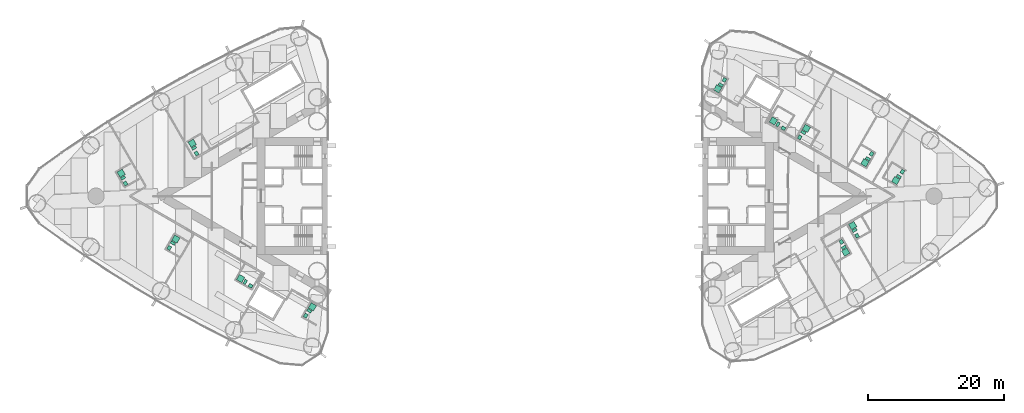
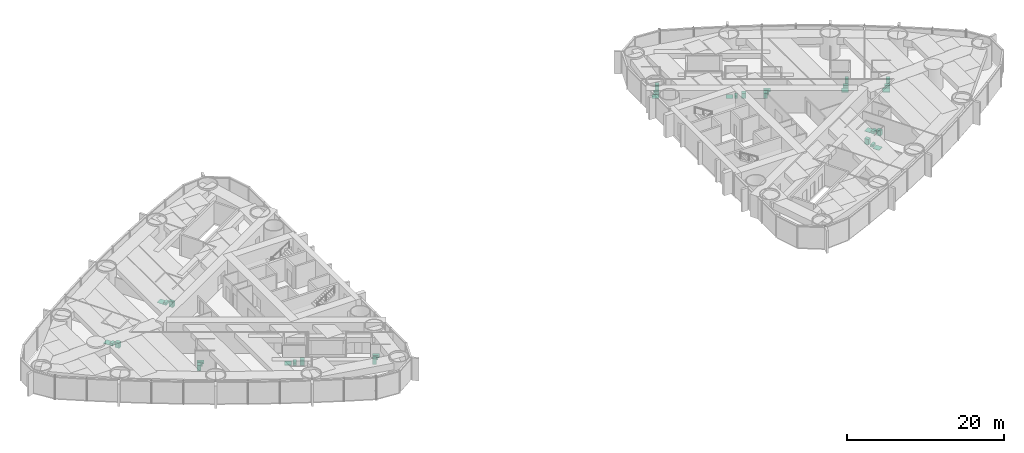
# One storey, part 19 of 19: 16 sanitary terminals.
"""IFC4 building model written with IfcOpenShell, lengths in metres."""

from ifc_helpers import new_model, si_unit, direction, frame, origin, origin_2d, place, context, subcontext, project, spatial, rectangle, extrude, material, type_object, element, save


model = new_model("IFC4")

# Units and contexts
model_context = context("Model", 3, precision=1e-05, world=origin(), true_north=direction((0.0, 1.0)))
body_context = subcontext(model_context, "Body", "Model", "MODEL_VIEW")
ifc_project = project(units=[si_unit("LENGTHUNIT", "METRE"), si_unit("AREAUNIT", "SQUARE_METRE"), si_unit("VOLUMEUNIT", "CUBIC_METRE"), si_unit("PLANEANGLEUNIT", "RADIAN"), si_unit("MASSUNIT", "GRAM", prefix="KILO")], contexts=[model_context])

# Site, building, storey
site_placement = place(None, origin())
site = spatial("IfcSite", under=ifc_project, at=site_placement, CompositionType="ELEMENT")
building_placement = place(site_placement, origin())
building = spatial("IfcBuilding", under=site, at=building_placement, Name="Lancet Gate Hotel", CompositionType="ELEMENT")
storey_placement = place(building_placement, frame((0.0, 0.0, 122.10009765625)))
storey = spatial("IfcBuildingStorey", under=building, at=storey_placement, Name="L32", CompositionType="ELEMENT", Elevation=122.10009765625)

# Sanitary terminals
ifc_material_1 = material(Name="Vitreous china sanitary ware")
sanitary_terminal_type_1 = type_object("IfcSanitaryTerminalType", Name="En-suite sanitary set (shower, WC, basin)", PredefinedType="USERDEFINED", material=ifc_material_1)
sanitary_terminal_1_placement = place(storey_placement, frame((-57.81689453125, 3.355224609375, 0.0), z_axis=(0.0, 0.0, 1.0), x_axis=(1.0, 0.0, 0.0)))
element("IfcSanitaryTerminal", 1, at=sanitary_terminal_1_placement, inside=storey, type_object=sanitary_terminal_type_1, Name="En-suite sanitary set (shower, WC, basin) 3204", ObjectType="EN-SUITE SANITARY SET", PredefinedType="USERDEFINED", context=body_context, shape_type="SweptSolid", body=[
    extrude(rectangle(XDim=0.89990234375, YDim=0.89990234375, at=origin_2d()), frame((0.0, 0.0, 0.0), z_axis=(0.0, 0.0, 1.0), x_axis=(-0.5, 0.866025403784, 0.0)), (0.0, 0.0, 1.0), 0.050048828125),
    extrude(rectangle(XDim=0.39990234375, YDim=0.699951171875, at=origin_2d()), frame((0.2783203125, -0.68212890625, 0.0), z_axis=(0.0, 0.0, 1.0), x_axis=(-0.5, 0.866025403784, 0.0)), (0.0, 0.0, 1.0), 0.39990234375),
    extrude(rectangle(XDim=0.60009765625, YDim=0.5, at=origin_2d()), frame((0.6318359375, -1.494384765625, 0.0), z_axis=(0.0, 0.0, 1.0), x_axis=(-0.5, 0.866025403784, 0.0)), (0.0, 0.0, 1.0), 0.85009765625),
])
sanitary_terminal_2_placement = place(storey_placement, frame((-49.785888671875, -6.305908203125, 0.0), z_axis=(0.0, 0.0, 1.0), x_axis=(1.0, 0.0, 0.0)))
element("IfcSanitaryTerminal", 2, at=sanitary_terminal_2_placement, inside=storey, type_object=sanitary_terminal_type_1, Name="En-suite sanitary set (shower, WC, basin) 3205", ObjectType="EN-SUITE SANITARY SET", PredefinedType="USERDEFINED", context=body_context, shape_type="SweptSolid", body=[
    extrude(rectangle(XDim=0.89990234375, YDim=0.89990234375, at=origin_2d()), frame((0.0, 0.0, 0.0), z_axis=(0.0, 0.0, 1.0), x_axis=(0.5, 0.866025403784, 0.0)), (0.0, 0.0, 1.0), 0.050048828125),
    extrude(rectangle(XDim=0.39990234375, YDim=0.699951171875, at=origin_2d()), frame((-0.45166015625, -0.582275390625, 0.0), z_axis=(0.0, 0.0, 1.0), x_axis=(0.5, 0.866025403784, 0.0)), (0.0, 0.0, 1.0), 0.39990234375),
    extrude(rectangle(XDim=0.60009765625, YDim=0.5, at=origin_2d()), frame((-0.978271484375, -1.29443359375, 0.0), z_axis=(0.0, 0.0, 1.0), x_axis=(0.5, 0.866025403784, 0.0)), (0.0, 0.0, 1.0), 0.85009765625),
])
sanitary_terminal_3_placement = place(storey_placement, frame((-47.39111328125, 7.758056640625, 0.0), z_axis=(0.0, 0.0, 1.0), x_axis=(1.0, 0.0, 0.0)))
element("IfcSanitaryTerminal", 3, at=sanitary_terminal_3_placement, inside=storey, type_object=sanitary_terminal_type_1, Name="En-suite sanitary set (shower, WC, basin) 3202", ObjectType="EN-SUITE SANITARY SET", PredefinedType="USERDEFINED", context=body_context, shape_type="SweptSolid", body=[
    extrude(rectangle(XDim=0.89990234375, YDim=0.89990234375, at=origin_2d()), frame((0.0, 0.0, 0.0), z_axis=(0.0, 0.0, 1.0), x_axis=(-0.5, 0.866025403784, 0.0)), (0.0, 0.0, 1.0), 0.050048828125),
    extrude(rectangle(XDim=0.39990234375, YDim=0.699951171875, at=origin_2d()), frame((0.2783203125, -0.682373046875, 0.0), z_axis=(0.0, 0.0, 1.0), x_axis=(-0.5, 0.866025403784, 0.0)), (0.0, 0.0, 1.0), 0.39990234375),
    extrude(rectangle(XDim=0.60009765625, YDim=0.5, at=origin_2d()), frame((0.6318359375, -1.494384765625, 0.0), z_axis=(0.0, 0.0, 1.0), x_axis=(-0.5, 0.866025403784, 0.0)), (0.0, 0.0, 1.0), 0.85009765625),
])
sanitary_terminal_4_placement = place(storey_placement, frame((-29.751708984375, -16.256103515625, 0.0), z_axis=(0.0, 0.0, 1.0), x_axis=(1.0, 0.0, 0.0)))
element("IfcSanitaryTerminal", 4, at=sanitary_terminal_4_placement, inside=storey, type_object=sanitary_terminal_type_1, Name="En-suite sanitary set (shower, WC, basin) 3208", ObjectType="EN-SUITE SANITARY SET", PredefinedType="USERDEFINED", context=body_context, shape_type="SweptSolid", body=[
    extrude(rectangle(XDim=0.89990234375, YDim=0.89990234375, at=origin_2d()), frame((0.0, 0.0, 0.0), z_axis=(0.0, 0.0, 1.0), x_axis=(0.5, 0.866025403784, 0.0)), (0.0, 0.0, 1.0), 0.050048828125),
    extrude(rectangle(XDim=0.39990234375, YDim=0.699951171875, at=origin_2d()), frame((-0.45166015625, -0.582275390625, 0.0), z_axis=(0.0, 0.0, 1.0), x_axis=(0.5, 0.866025403784, 0.0)), (0.0, 0.0, 1.0), 0.39990234375),
    extrude(rectangle(XDim=0.60009765625, YDim=0.5, at=origin_2d()), frame((-0.978271484375, -1.29443359375, 0.0), z_axis=(0.0, 0.0, 1.0), x_axis=(0.5, 0.866025403784, 0.0)), (0.0, 0.0, 1.0), 0.85009765625),
])
sanitary_terminal_5_placement = place(storey_placement, frame((48.534912109375, -8.214111328125, 0.0), z_axis=(0.0, 0.0, 1.0), x_axis=(1.0, 0.0, 0.0)))
element("IfcSanitaryTerminal", 5, at=sanitary_terminal_5_placement, inside=storey, type_object=sanitary_terminal_type_1, Name="En-suite sanitary set (shower, WC, basin) 3255", ObjectType="EN-SUITE SANITARY SET", PredefinedType="USERDEFINED", context=body_context, shape_type="SweptSolid", body=[
    extrude(rectangle(XDim=0.89990234375, YDim=0.89990234375, at=origin_2d()), frame((0.0, 0.0, 0.0), z_axis=(0.0, 0.0, 1.0), x_axis=(0.5, -0.866025403784, 0.0)), (0.0, 0.0, 1.0), 0.050048828125),
    extrude(rectangle(XDim=0.39990234375, YDim=0.699951171875, at=origin_2d()), frame((-0.2783203125, 0.68212890625, 0.0), z_axis=(0.0, 0.0, 1.0), x_axis=(0.5, -0.866025403784, 0.0)), (0.0, 0.0, 1.0), 0.39990234375),
    extrude(rectangle(XDim=0.60009765625, YDim=0.5, at=origin_2d()), frame((-0.6318359375, 1.494384765625, 0.0), z_axis=(0.0, 0.0, 1.0), x_axis=(0.5, -0.866025403784, 0.0)), (0.0, 0.0, 1.0), 0.85009765625),
])
sanitary_terminal_6_placement = place(storey_placement, frame((49.56201171875, -4.318603515625, 0.0), z_axis=(0.0, 0.0, 1.0), x_axis=(1.0, 0.0, 0.0)))
element("IfcSanitaryTerminal", 6, at=sanitary_terminal_6_placement, inside=storey, type_object=sanitary_terminal_type_1, Name="En-suite sanitary set (shower, WC, basin) 3256", ObjectType="EN-SUITE SANITARY SET", PredefinedType="USERDEFINED", context=body_context, shape_type="SweptSolid", body=[
    extrude(rectangle(XDim=0.89990234375, YDim=0.89990234375, at=origin_2d()), frame((0.0, 0.0, 0.0), z_axis=(0.0, 0.0, 1.0), x_axis=(-0.5, 0.866025403784, 0.0)), (0.0, 0.0, 1.0), 0.050048828125),
    extrude(rectangle(XDim=0.39990234375, YDim=0.699951171875, at=origin_2d()), frame((0.278564453125, -0.682373046875, 0.0), z_axis=(0.0, 0.0, 1.0), x_axis=(-0.5, 0.866025403784, 0.0)), (0.0, 0.0, 1.0), 0.39990234375),
    extrude(rectangle(XDim=0.60009765625, YDim=0.5, at=origin_2d()), frame((0.6318359375, -1.494384765625, 0.0), z_axis=(0.0, 0.0, 1.0), x_axis=(-0.5, 0.866025403784, 0.0)), (0.0, 0.0, 1.0), 0.85009765625),
])
sanitary_terminal_7_placement = place(storey_placement, frame((55.8798828125, 2.28759765625, 0.0), z_axis=(0.0, 0.0, 1.0), x_axis=(1.0, 0.0, 0.0)))
element("IfcSanitaryTerminal", 7, at=sanitary_terminal_7_placement, inside=storey, type_object=sanitary_terminal_type_1, Name="En-suite sanitary set (shower, WC, basin) 3258", ObjectType="EN-SUITE SANITARY SET", PredefinedType="USERDEFINED", context=body_context, shape_type="SweptSolid", body=[
    extrude(rectangle(XDim=0.89990234375, YDim=0.89990234375, at=origin_2d()), frame((0.0, 0.0, 0.0), z_axis=(0.0, 0.0, 1.0), x_axis=(-0.5, -0.866025403784, 0.0)), (0.0, 0.0, 1.0), 0.050048828125),
    extrude(rectangle(XDim=0.39990234375, YDim=0.699951171875, at=origin_2d()), frame((0.45166015625, 0.582275390625, 0.0), z_axis=(0.0, 0.0, 1.0), x_axis=(-0.5, -0.866025403784, 0.0)), (0.0, 0.0, 1.0), 0.39990234375),
    extrude(rectangle(XDim=0.60009765625, YDim=0.5, at=origin_2d()), frame((0.978271484375, 1.29443359375, 0.0), z_axis=(0.0, 0.0, 1.0), x_axis=(-0.5, -0.866025403784, 0.0)), (0.0, 0.0, 1.0), 0.85009765625),
])
sanitary_terminal_8_placement = place(storey_placement, frame((51.353271484375, 4.901123046875, 0.0), z_axis=(0.0, 0.0, 1.0), x_axis=(1.0, 0.0, 0.0)))
element("IfcSanitaryTerminal", 8, at=sanitary_terminal_8_placement, inside=storey, type_object=sanitary_terminal_type_1, Name="En-suite sanitary set (shower, WC, basin) 3259", ObjectType="EN-SUITE SANITARY SET", PredefinedType="USERDEFINED", context=body_context, shape_type="SweptSolid", body=[
    extrude(rectangle(XDim=0.89990234375, YDim=0.89990234375, at=origin_2d()), frame((0.0, 0.0, 0.0), z_axis=(0.0, 0.0, 1.0), x_axis=(-0.5, -0.866025403784, 0.0)), (0.0, 0.0, 1.0), 0.050048828125),
    extrude(rectangle(XDim=0.39990234375, YDim=0.699951171875, at=origin_2d()), frame((0.45166015625, 0.582275390625, 0.0), z_axis=(0.0, 0.0, 1.0), x_axis=(-0.5, -0.866025403784, 0.0)), (0.0, 0.0, 1.0), 0.39990234375),
    extrude(rectangle(XDim=0.60009765625, YDim=0.5, at=origin_2d()), frame((0.978271484375, 1.294189453125, 0.0), z_axis=(0.0, 0.0, 1.0), x_axis=(-0.5, -0.866025403784, 0.0)), (0.0, 0.0, 1.0), 0.85009765625),
])
sanitary_terminal_9_placement = place(storey_placement, frame((42.763427734375, 9.9296875, 0.0), z_axis=(0.0, 0.0, 1.0), x_axis=(1.0, 0.0, 0.0)))
element("IfcSanitaryTerminal", 9, at=sanitary_terminal_9_placement, inside=storey, type_object=sanitary_terminal_type_1, Name="En-suite sanitary set (shower, WC, basin) 3260", ObjectType="EN-SUITE SANITARY SET", PredefinedType="USERDEFINED", context=body_context, shape_type="SweptSolid", body=[
    extrude(rectangle(XDim=0.89990234375, YDim=0.89990234375, at=origin_2d()), frame((0.0, 0.0, 0.0), z_axis=(0.0, 0.0, 1.0), x_axis=(0.5, 0.866025403784, 0.0)), (0.0, 0.0, 1.0), 0.050048828125),
    extrude(rectangle(XDim=0.39990234375, YDim=0.699951171875, at=origin_2d()), frame((-0.45166015625, -0.582275390625, 0.0), z_axis=(0.0, 0.0, 1.0), x_axis=(0.5, 0.866025403784, 0.0)), (0.0, 0.0, 1.0), 0.39990234375),
    extrude(rectangle(XDim=0.60009765625, YDim=0.5, at=origin_2d()), frame((-0.978271484375, -1.294189453125, 0.0), z_axis=(0.0, 0.0, 1.0), x_axis=(0.5, 0.866025403784, 0.0)), (0.0, 0.0, 1.0), 0.85009765625),
])
sanitary_terminal_10_placement = place(storey_placement, frame((29.751708984375, 15.756103515625, 0.0), z_axis=(0.0, 0.0, 1.0), x_axis=(1.0, 0.0, 0.0)))
element("IfcSanitaryTerminal", 10, at=sanitary_terminal_10_placement, inside=storey, type_object=sanitary_terminal_type_1, Name="En-suite sanitary set (shower, WC, basin) 3264", ObjectType="EN-SUITE SANITARY SET", PredefinedType="USERDEFINED", context=body_context, shape_type="SweptSolid", body=[
    extrude(rectangle(XDim=0.89990234375, YDim=0.89990234375, at=origin_2d()), frame((0.0, 0.0, 0.0), z_axis=(0.0, 0.0, 1.0), x_axis=(-0.5, -0.866025403784, 0.0)), (0.0, 0.0, 1.0), 0.050048828125),
    extrude(rectangle(XDim=0.39990234375, YDim=0.699951171875, at=origin_2d()), frame((0.45166015625, 0.582275390625, 0.0), z_axis=(0.0, 0.0, 1.0), x_axis=(-0.5, -0.866025403784, 0.0)), (0.0, 0.0, 1.0), 0.39990234375),
    extrude(rectangle(XDim=0.60009765625, YDim=0.5, at=origin_2d()), frame((0.978271484375, 1.29443359375, 0.0), z_axis=(0.0, 0.0, 1.0), x_axis=(-0.5, -0.866025403784, 0.0)), (0.0, 0.0, 1.0), 0.85009765625),
])
ifc_material_2 = material(Name="Stone resin shower tray", Category="masonry")
sanitary_terminal_type_2 = type_object("IfcSanitaryTerminalType", Name="Shower tray 900", PredefinedType="SHOWER", material=ifc_material_2)
for number, where, z_axis, x_axis, name in (
    (11, (-40.2763671875, -12.0966796875, 0.0), (0.0, 0.0, 1.0), (-0.866025403784, 0.5, 0.0), "Shower tray 900 3207"),
    (12, (37.922607421875, 11.038818359375, 0.0), (0.0, 0.0, 1.0), (-0.866025403784, 0.5, 0.0), "Shower tray 900 3262"),
):
    element("IfcSanitaryTerminal", number, at=place(storey_placement, frame(where, z_axis=z_axis, x_axis=x_axis)), inside=storey, type_object=sanitary_terminal_type_2, Name=name, PredefinedType="SHOWER", context=body_context, shape_type="SweptSolid", body=[
        extrude(rectangle(XDim=0.89990234375, YDim=0.89990234375, at=origin_2d()), origin(), (0.0, 0.0, 1.0), 0.050048828125),
    ])
ifc_material_3 = material(Name="Vitreous china sanitary ware")
sanitary_terminal_type_3 = type_object("IfcSanitaryTerminalType", Name="Vanity basin 600", PredefinedType="WASHHANDBASIN", material=ifc_material_3)
for number, where, z_axis, x_axis, name in (
    (13, (-38.808837890625, -13.1748046875, -0.000244140625), (0.0, 0.0, 1.0), (-0.866025403784, 0.5, 0.0), "Vanity basin 600 3207"),
    (14, (39.389892578125, 9.960693359375, -0.000244140625), (0.0, 0.0, 1.0), (-0.866025403784, 0.5, 0.0), "Vanity basin 600 3262"),
):
    element("IfcSanitaryTerminal", number, at=place(storey_placement, frame(where, z_axis=z_axis, x_axis=x_axis)), inside=storey, type_object=sanitary_terminal_type_3, Name=name, PredefinedType="WASHHANDBASIN", context=body_context, shape_type="SweptSolid", body=[
        extrude(rectangle(XDim=0.60009765625, YDim=0.5, at=origin_2d()), origin(), (0.0, 0.0, 1.0), 0.85009765625),
    ])
ifc_material_4 = material(Name="Vitreous china sanitary ware")
sanitary_terminal_type_4 = type_object("IfcSanitaryTerminalType", Name="WC pan wall hung", PredefinedType="TOILETPAN", material=ifc_material_4)
for number, where, z_axis, x_axis, name in (
    (15, (-39.607421875, -12.59814453125, 0.0), (0.0, 0.0, 1.0), (-0.866025403784, 0.5, 0.0), "WC pan wall hung 3207"),
    (16, (38.59130859375, 10.537109375, 0.0), (0.0, 0.0, 1.0), (-0.866025403784, 0.5, 0.0), "WC pan wall hung 3262"),
):
    element("IfcSanitaryTerminal", number, at=place(storey_placement, frame(where, z_axis=z_axis, x_axis=x_axis)), inside=storey, type_object=sanitary_terminal_type_4, Name=name, PredefinedType="TOILETPAN", context=body_context, shape_type="SweptSolid", body=[
        extrude(rectangle(XDim=0.39990234375, YDim=0.699951171875, at=origin_2d()), origin(), (0.0, 0.0, 1.0), 0.39990234375),
    ])

save(model, "model.ifc")
